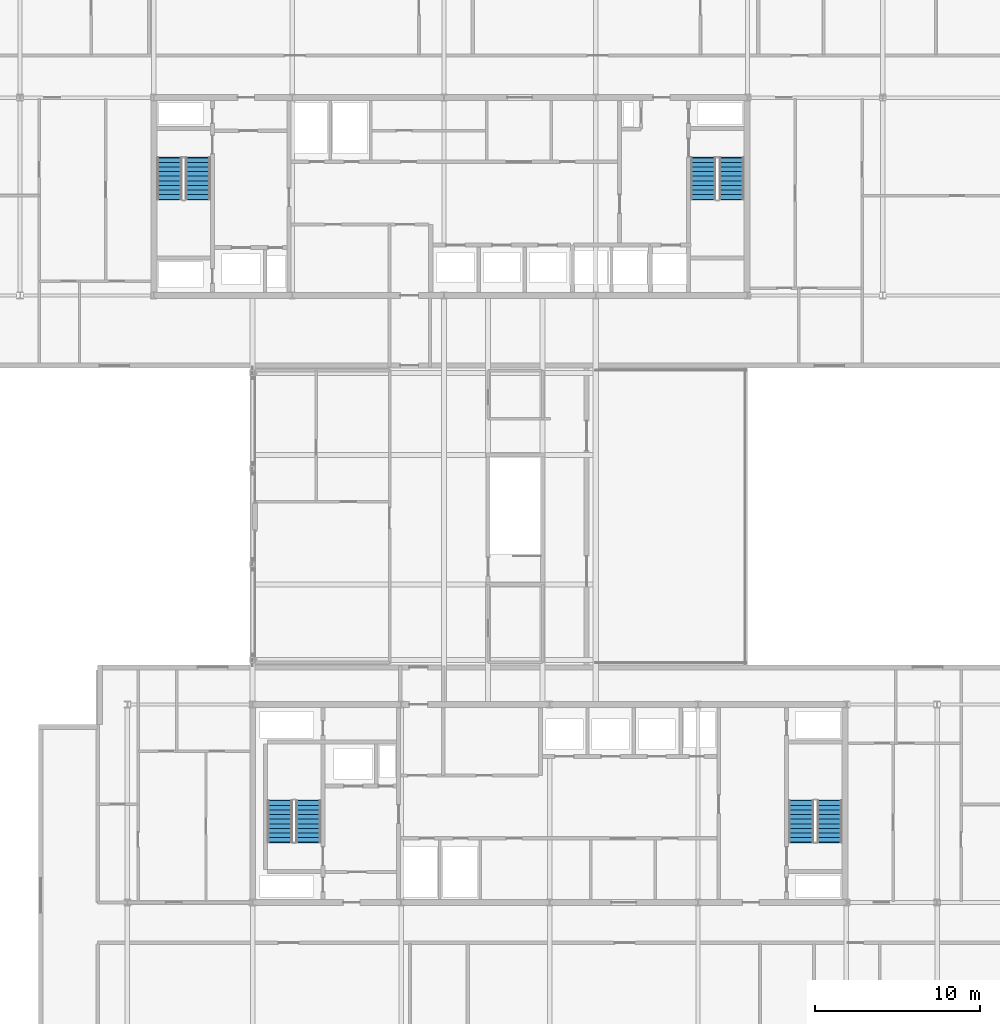
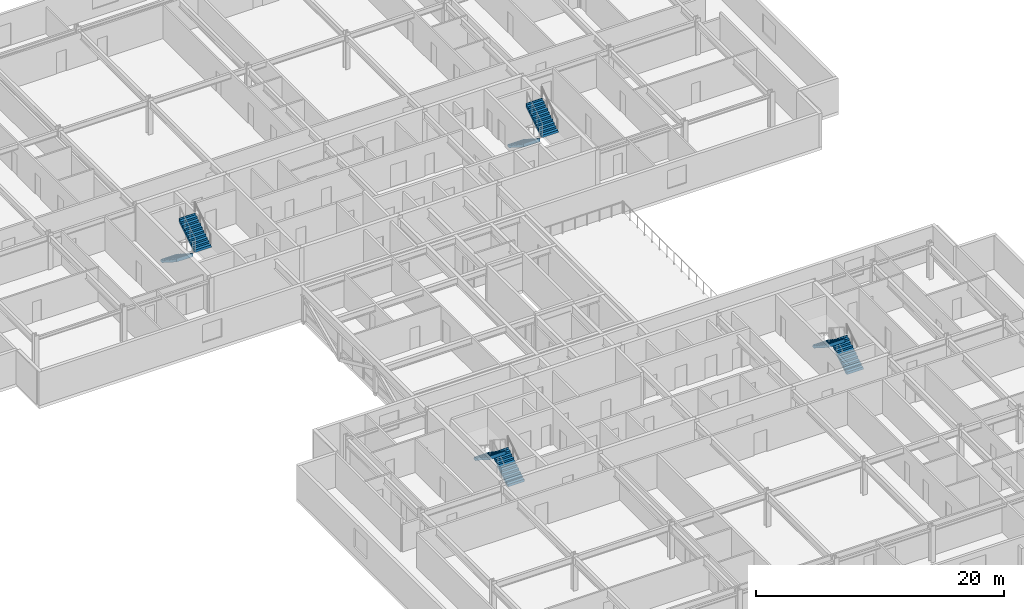
# One storey, part 23 of 28: 8 stair flights, 4 elements without a shape of their own.
"""IFC4 building model written with IfcOpenShell, lengths in metres."""

from ifc_helpers import new_model, si_unit, direction, frame, origin, place, context, subcontext, project, spatial, polyline, outline, extrude, material, type_object, element, aggregate, save


model = new_model("IFC4")

# Units and contexts
model_context = context("Model", 3, precision=1e-05, world=origin(), true_north=direction((0.0, 1.0)))
body_context = subcontext(model_context, "Body", "Model", "MODEL_VIEW")
ifc_project = project(units=[si_unit("LENGTHUNIT", "METRE"), si_unit("AREAUNIT", "SQUARE_METRE"), si_unit("VOLUMEUNIT", "CUBIC_METRE"), si_unit("PLANEANGLEUNIT", "RADIAN"), si_unit("MASSUNIT", "GRAM", prefix="KILO")], contexts=[model_context])

# Site, building, storey
site_placement = place(None, origin())
site = spatial("IfcSite", under=ifc_project, at=site_placement, CompositionType="ELEMENT")
building_placement = place(site_placement, origin())
building = spatial("IfcBuilding", under=site, at=building_placement, Name="Korimba Cascade Residences", CompositionType="ELEMENT")
storey_placement = place(building_placement, frame((0.0, 0.0, 153.699951171875)))
storey = spatial("IfcBuildingStorey", under=building, at=storey_placement, Name="L44", CompositionType="ELEMENT", Elevation=153.699951171875)

# Stair, stair flights
ifc_material = material(Name="Concrete C50/60", Category="concrete")
stair_type_1 = type_object("IfcStairType", Name="STR-W1-20R-1800", PredefinedType="HALF_TURN_STAIR", material=ifc_material)
stair_1_placement = place(storey_placement, origin())
stair_1 = element("IfcStair", 1, at=stair_1_placement, inside=storey, type_object=stair_type_1, Name="L44 Tower 1 West Fire Stair ST-W1", PredefinedType="HALF_TURN_STAIR")
stair_flight_type = type_object("IfcStairFlightType", Name="STF-DL-20R-1800-1520", PredefinedType="STRAIGHT", material=ifc_material)
stair_flight_1_placement = place(storey_placement, frame((77.06005859375, 63.550048828125, 0.0), z_axis=(0.0, 0.0, 1.0), x_axis=(0.0, -1.0, 0.0)))
stair_flight_1 = element("IfcStairFlight", 2, at=stair_flight_1_placement, type_object=stair_flight_type, Name="ST-W1 flight 1", NumberOfRisers=10, NumberOfTreads=9, PredefinedType="STRAIGHT", RiserHeight=0.18, TreadLength=0.28, context=body_context, shape_type="SweptSolid", body=[
    extrude(outline(polyline([(-0.0380859375, 0.0), (0.0, 0.179931640625), (0.280029296875, 0.179931640625), (0.280029296875, 0.360107421875), (0.56005859375, 0.360107421875), (0.56005859375, 0.5400390625), (0.840087890625, 0.5400390625), (0.840087890625, 0.719970703125), (1.1201171875, 0.719970703125), (1.1201171875, 0.89990234375), (1.39990234375, 0.89990234375), (1.39990234375, 1.080078125), (1.679931640625, 1.080078125), (1.679931640625, 1.260009765625), (1.9599609375, 1.260009765625), (1.9599609375, 1.43994140625), (2.239990234375, 1.43994140625), (2.239990234375, 1.6201171875), (2.52001953125, 1.6201171875), (2.52001953125, 1.800048828125), (2.55810546875, 1.800048828125), (2.55810546875, 1.44189453125), (0.277099609375, 0.0), (0.277099609375, -0.0380859375), (-0.0380859375, -0.0380859375), (-0.0380859375, 0.0)])), frame((0.0, 0.760009765625, 0.0), z_axis=(0.0, -1.0, 0.0), x_axis=(1.0, 0.0, 0.0)), (0.0, 0.0, 1.0), 1.52001953125),
])
stair_flight_2_placement = place(storey_placement, frame((78.780029296875, 61.030029296875, 1.800048828125), z_axis=(0.0, 0.0, 1.0), x_axis=(0.0, 1.0, 0.0)))
stair_flight_2 = element("IfcStairFlight", 3, at=stair_flight_2_placement, type_object=stair_flight_type, Name="ST-W1 flight 2", NumberOfRisers=10, NumberOfTreads=9, PredefinedType="STRAIGHT", RiserHeight=0.18, TreadLength=0.28, context=body_context, shape_type="SweptSolid", body=[
    extrude(outline(polyline([(-0.0380859375, 0.0), (0.0, 0.179931640625), (0.280029296875, 0.179931640625), (0.280029296875, 0.360107421875), (0.56005859375, 0.360107421875), (0.56005859375, 0.5400390625), (0.840087890625, 0.5400390625), (0.840087890625, 0.719970703125), (1.1201171875, 0.719970703125), (1.1201171875, 0.89990234375), (1.39990234375, 0.89990234375), (1.39990234375, 1.080078125), (1.679931640625, 1.080078125), (1.679931640625, 1.260009765625), (1.9599609375, 1.260009765625), (1.9599609375, 1.43994140625), (2.239990234375, 1.43994140625), (2.239990234375, 1.6201171875), (2.52001953125, 1.6201171875), (2.52001953125, 1.800048828125), (2.55810546875, 1.800048828125), (2.55810546875, 1.44189453125), (0.277099609375, 0.0), (0.277099609375, -0.0380859375), (-0.0380859375, -0.0380859375), (-0.0380859375, 0.0)])), frame((0.0, 0.760009765625, 0.0), z_axis=(0.0, -1.0, 0.0), x_axis=(1.0, 0.0, 0.0)), (0.0, 0.0, 1.0), 1.52001953125),
])
aggregate(stair_1, [stair_flight_1, stair_flight_2])

stair_type_2 = type_object("IfcStairType", Name="STR-W2-20R-1800", PredefinedType="HALF_TURN_STAIR", material=ifc_material)
stair_2_placement = place(storey_placement, origin())
stair_2 = element("IfcStair", 4, at=stair_2_placement, inside=storey, type_object=stair_type_2, Name="L44 Tower 1 East Fire Stair ST-W2", PredefinedType="HALF_TURN_STAIR")
stair_flight_3_placement = place(storey_placement, frame((109.419921875, 63.550048828125, 0.0), z_axis=(0.0, 0.0, 1.0), x_axis=(0.0, -1.0, 0.0)))
stair_flight_3 = element("IfcStairFlight", 5, at=stair_flight_3_placement, type_object=stair_flight_type, Name="ST-W2 flight 1", NumberOfRisers=10, NumberOfTreads=9, PredefinedType="STRAIGHT", RiserHeight=0.18, TreadLength=0.28, context=body_context, shape_type="SweptSolid", body=[
    extrude(outline(polyline([(-0.0380859375, 0.0), (0.0, 0.179931640625), (0.280029296875, 0.179931640625), (0.280029296875, 0.360107421875), (0.56005859375, 0.360107421875), (0.56005859375, 0.5400390625), (0.840087890625, 0.5400390625), (0.840087890625, 0.719970703125), (1.1201171875, 0.719970703125), (1.1201171875, 0.89990234375), (1.39990234375, 0.89990234375), (1.39990234375, 1.080078125), (1.679931640625, 1.080078125), (1.679931640625, 1.260009765625), (1.9599609375, 1.260009765625), (1.9599609375, 1.43994140625), (2.239990234375, 1.43994140625), (2.239990234375, 1.6201171875), (2.52001953125, 1.6201171875), (2.52001953125, 1.800048828125), (2.55810546875, 1.800048828125), (2.55810546875, 1.44189453125), (0.277099609375, 0.0), (0.277099609375, -0.0380859375), (-0.0380859375, -0.0380859375), (-0.0380859375, 0.0)])), frame((0.0, 0.760009765625, 0.0), z_axis=(0.0, -1.0, 0.0), x_axis=(1.0, 0.0, 0.0)), (0.0, 0.0, 1.0), 1.52001953125),
])
stair_flight_4_placement = place(storey_placement, frame((111.139892578125, 61.030029296875, 1.800048828125), z_axis=(0.0, 0.0, 1.0), x_axis=(0.0, 1.0, 0.0)))
stair_flight_4 = element("IfcStairFlight", 6, at=stair_flight_4_placement, type_object=stair_flight_type, Name="ST-W2 flight 2", NumberOfRisers=10, NumberOfTreads=9, PredefinedType="STRAIGHT", RiserHeight=0.18, TreadLength=0.28, context=body_context, shape_type="SweptSolid", body=[
    extrude(outline(polyline([(-0.0380859375, 0.0), (0.0, 0.179931640625), (0.280029296875, 0.179931640625), (0.280029296875, 0.360107421875), (0.56005859375, 0.360107421875), (0.56005859375, 0.5400390625), (0.840087890625, 0.5400390625), (0.840087890625, 0.719970703125), (1.1201171875, 0.719970703125), (1.1201171875, 0.89990234375), (1.39990234375, 0.89990234375), (1.39990234375, 1.080078125), (1.679931640625, 1.080078125), (1.679931640625, 1.260009765625), (1.9599609375, 1.260009765625), (1.9599609375, 1.43994140625), (2.239990234375, 1.43994140625), (2.239990234375, 1.6201171875), (2.52001953125, 1.6201171875), (2.52001953125, 1.800048828125), (2.55810546875, 1.800048828125), (2.55810546875, 1.44189453125), (0.277099609375, 0.0), (0.277099609375, -0.0380859375), (-0.0380859375, -0.0380859375), (-0.0380859375, 0.0)])), frame((0.0, 0.760009765625, 0.0), z_axis=(0.0, -1.0, 0.0), x_axis=(1.0, 0.0, 0.0)), (0.0, 0.0, 1.0), 1.52001953125),
])
aggregate(stair_2, [stair_flight_3, stair_flight_4])

stair_type_3 = type_object("IfcStairType", Name="STR-E1-20R-1800", PredefinedType="HALF_TURN_STAIR", material=ifc_material)
stair_3_placement = place(storey_placement, origin())
stair_3 = element("IfcStair", 7, at=stair_3_placement, inside=storey, type_object=stair_type_3, Name="L44 Tower 2 West Fire Stair ST-E1", PredefinedType="HALF_TURN_STAIR")
stair_flight_5_placement = place(storey_placement, frame((85.47998046875, 22.050048828125, 0.0), z_axis=(0.0, 0.0, 1.0), x_axis=(0.0, 1.0, 0.0)))
stair_flight_5 = element("IfcStairFlight", 8, at=stair_flight_5_placement, type_object=stair_flight_type, Name="ST-E1 flight 1", NumberOfRisers=10, NumberOfTreads=9, PredefinedType="STRAIGHT", RiserHeight=0.18, TreadLength=0.28, context=body_context, shape_type="SweptSolid", body=[
    extrude(outline(polyline([(-0.0380859375, 0.0), (0.0, 0.179931640625), (0.280029296875, 0.179931640625), (0.280029296875, 0.360107421875), (0.56005859375, 0.360107421875), (0.56005859375, 0.5400390625), (0.840087890625, 0.5400390625), (0.840087890625, 0.719970703125), (1.1201171875, 0.719970703125), (1.1201171875, 0.89990234375), (1.39990234375, 0.89990234375), (1.39990234375, 1.080078125), (1.679931640625, 1.080078125), (1.679931640625, 1.260009765625), (1.9599609375, 1.260009765625), (1.9599609375, 1.43994140625), (2.239990234375, 1.43994140625), (2.239990234375, 1.6201171875), (2.52001953125, 1.6201171875), (2.52001953125, 1.800048828125), (2.55810546875, 1.800048828125), (2.55810546875, 1.44189453125), (0.277099609375, 0.0), (0.277099609375, -0.0380859375), (-0.0380859375, -0.0380859375), (-0.0380859375, 0.0)])), frame((0.0, 0.760009765625, 0.0), z_axis=(0.0, -1.0, 0.0), x_axis=(1.0, 0.0, 0.0)), (0.0, 0.0, 1.0), 1.52001953125),
])
stair_flight_6_placement = place(storey_placement, frame((83.760009765625, 24.570068359375, 1.800048828125), z_axis=(0.0, 0.0, 1.0), x_axis=(0.0, -1.0, 0.0)))
stair_flight_6 = element("IfcStairFlight", 9, at=stair_flight_6_placement, type_object=stair_flight_type, Name="ST-E1 flight 2", NumberOfRisers=10, NumberOfTreads=9, PredefinedType="STRAIGHT", RiserHeight=0.18, TreadLength=0.28, context=body_context, shape_type="SweptSolid", body=[
    extrude(outline(polyline([(-0.0380859375, 0.0), (0.0, 0.179931640625), (0.280029296875, 0.179931640625), (0.280029296875, 0.360107421875), (0.56005859375, 0.360107421875), (0.56005859375, 0.5400390625), (0.840087890625, 0.5400390625), (0.840087890625, 0.719970703125), (1.1201171875, 0.719970703125), (1.1201171875, 0.89990234375), (1.39990234375, 0.89990234375), (1.39990234375, 1.080078125), (1.679931640625, 1.080078125), (1.679931640625, 1.260009765625), (1.9599609375, 1.260009765625), (1.9599609375, 1.43994140625), (2.239990234375, 1.43994140625), (2.239990234375, 1.6201171875), (2.52001953125, 1.6201171875), (2.52001953125, 1.800048828125), (2.55810546875, 1.800048828125), (2.55810546875, 1.44189453125), (0.277099609375, 0.0), (0.277099609375, -0.0380859375), (-0.0380859375, -0.0380859375), (-0.0380859375, 0.0)])), frame((0.0, 0.760009765625, 0.0), z_axis=(0.0, -1.0, 0.0), x_axis=(1.0, 0.0, 0.0)), (0.0, 0.0, 1.0), 1.52001953125),
])
aggregate(stair_3, [stair_flight_5, stair_flight_6])

stair_type_4 = type_object("IfcStairType", Name="STR-E2-20R-1800", PredefinedType="HALF_TURN_STAIR", material=ifc_material)
stair_4_placement = place(storey_placement, origin())
stair_4 = element("IfcStair", 10, at=stair_4_placement, inside=storey, type_object=stair_type_4, Name="L44 Tower 2 East Fire Stair ST-E2", PredefinedType="HALF_TURN_STAIR")
stair_flight_7_placement = place(storey_placement, frame((117.080078125, 22.050048828125, 0.0), z_axis=(0.0, 0.0, 1.0), x_axis=(0.0, 1.0, 0.0)))
stair_flight_7 = element("IfcStairFlight", 11, at=stair_flight_7_placement, type_object=stair_flight_type, Name="ST-E2 flight 1", NumberOfRisers=10, NumberOfTreads=9, PredefinedType="STRAIGHT", RiserHeight=0.18, TreadLength=0.28, context=body_context, shape_type="SweptSolid", body=[
    extrude(outline(polyline([(-0.0380859375, 0.0), (0.0, 0.179931640625), (0.280029296875, 0.179931640625), (0.280029296875, 0.360107421875), (0.56005859375, 0.360107421875), (0.56005859375, 0.5400390625), (0.840087890625, 0.5400390625), (0.840087890625, 0.719970703125), (1.1201171875, 0.719970703125), (1.1201171875, 0.89990234375), (1.39990234375, 0.89990234375), (1.39990234375, 1.080078125), (1.679931640625, 1.080078125), (1.679931640625, 1.260009765625), (1.9599609375, 1.260009765625), (1.9599609375, 1.43994140625), (2.239990234375, 1.43994140625), (2.239990234375, 1.6201171875), (2.52001953125, 1.6201171875), (2.52001953125, 1.800048828125), (2.55810546875, 1.800048828125), (2.55810546875, 1.44189453125), (0.277099609375, 0.0), (0.277099609375, -0.0380859375), (-0.0380859375, -0.0380859375), (-0.0380859375, 0.0)])), frame((0.0, 0.760009765625, 0.0), z_axis=(0.0, -1.0, 0.0), x_axis=(1.0, 0.0, 0.0)), (0.0, 0.0, 1.0), 1.52001953125),
])
stair_flight_8_placement = place(storey_placement, frame((115.360107421875, 24.570068359375, 1.800048828125), z_axis=(0.0, 0.0, 1.0), x_axis=(0.0, -1.0, 0.0)))
stair_flight_8 = element("IfcStairFlight", 12, at=stair_flight_8_placement, type_object=stair_flight_type, Name="ST-E2 flight 2", NumberOfRisers=10, NumberOfTreads=9, PredefinedType="STRAIGHT", RiserHeight=0.18, TreadLength=0.28, context=body_context, shape_type="SweptSolid", body=[
    extrude(outline(polyline([(-0.0380859375, 0.0), (0.0, 0.179931640625), (0.280029296875, 0.179931640625), (0.280029296875, 0.360107421875), (0.56005859375, 0.360107421875), (0.56005859375, 0.5400390625), (0.840087890625, 0.5400390625), (0.840087890625, 0.719970703125), (1.1201171875, 0.719970703125), (1.1201171875, 0.89990234375), (1.39990234375, 0.89990234375), (1.39990234375, 1.080078125), (1.679931640625, 1.080078125), (1.679931640625, 1.260009765625), (1.9599609375, 1.260009765625), (1.9599609375, 1.43994140625), (2.239990234375, 1.43994140625), (2.239990234375, 1.6201171875), (2.52001953125, 1.6201171875), (2.52001953125, 1.800048828125), (2.55810546875, 1.800048828125), (2.55810546875, 1.44189453125), (0.277099609375, 0.0), (0.277099609375, -0.0380859375), (-0.0380859375, -0.0380859375), (-0.0380859375, 0.0)])), frame((0.0, 0.760009765625, 0.0), z_axis=(0.0, -1.0, 0.0), x_axis=(1.0, 0.0, 0.0)), (0.0, 0.0, 1.0), 1.52001953125),
])
aggregate(stair_4, [stair_flight_7, stair_flight_8])

save(model, "model.ifc")
